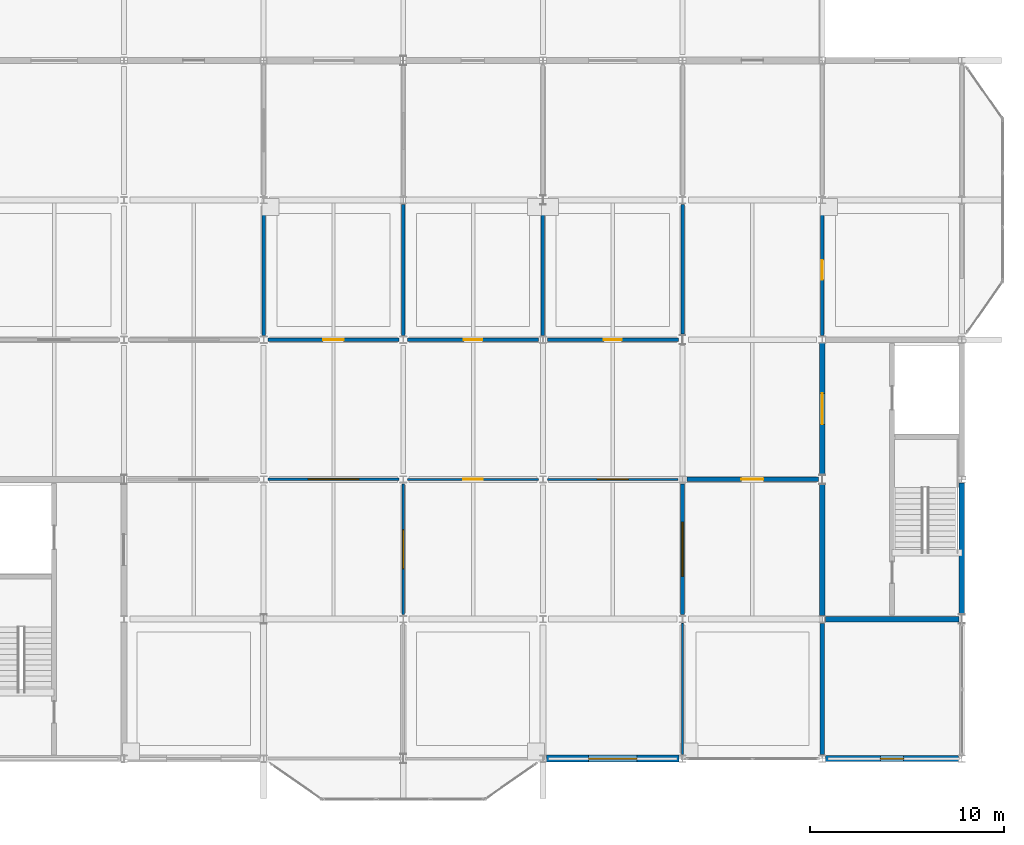
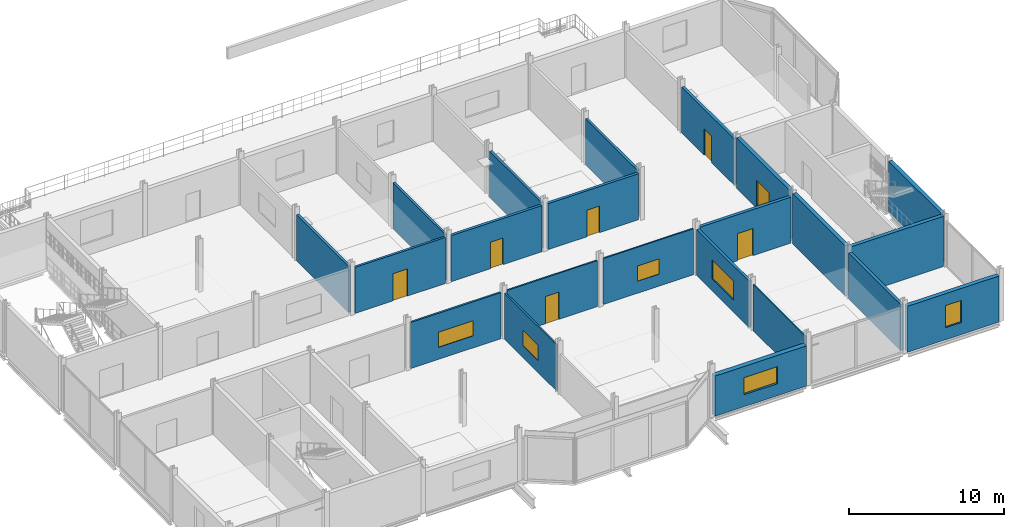
# One storey, part 20 of 26: 22 walls, 7 doors, 6 windows, 13 openings.
"""IFC4 building model written with IfcOpenShell, lengths in metres."""

from ifc_helpers import new_model, si_unit, direction, frame, frame_2d, origin, place, context, subcontext, project, spatial, rectangle, extrude, material, layer, layer_set, type_object, element, fill, save


model = new_model("IFC4")

# Units and contexts
model_context = context("Model", 3, precision=1e-05, world=origin(), true_north=direction((0.0, 1.0)))
body_context = subcontext(model_context, "Body", "Model", "MODEL_VIEW")
ifc_project = project(units=[si_unit("LENGTHUNIT", "METRE"), si_unit("AREAUNIT", "SQUARE_METRE"), si_unit("VOLUMEUNIT", "CUBIC_METRE"), si_unit("PLANEANGLEUNIT", "RADIAN"), si_unit("MASSUNIT", "GRAM", prefix="KILO")], contexts=[model_context])

# Site, building, storey
site_placement = place(None, origin())
site = spatial("IfcSite", under=ifc_project, at=site_placement, CompositionType="ELEMENT")
building_placement = place(site_placement, origin())
building = spatial("IfcBuilding", under=site, at=building_placement, Name="Vesperath Aquatics Centre", CompositionType="ELEMENT")
storey_placement = place(building_placement, frame((0.0, 0.0, 19.199951171875)))
storey = spatial("IfcBuildingStorey", under=building, at=storey_placement, Name="L04", CompositionType="ELEMENT", Elevation=19.199951171875)

# Wall, opening, window
ifc_material_1 = material(Name="Glazed majolica and brick insulated cavity wall", Category="masonry")
ifc_layer_1 = layer(ifc_material_1, 0.360107421875)
ifc_layer_set_1 = layer_set([ifc_layer_1], Name="Glazed majolica and brick insulated cavity wall")
wall_type_1 = type_object("IfcWallType", Name="WL-EW03", PredefinedType="SOLIDWALL", material=ifc_layer_set_1)
wall_1_placement = place(storey_placement, frame((151.375, 0.0, 0.0), z_axis=(0.0, 0.0, 1.0), x_axis=(1.0, 0.0, 0.0)))
wall_1 = element("IfcWall", 1, at=wall_1_placement, inside=storey, type_object=wall_type_1, Name="Exterior Wall EW03 L04_S_21_00", PredefinedType="SOLIDWALL", context=body_context, shape_type="SweptSolid", body=[
    extrude(rectangle(XDim=6.85009765625, YDim=0.360107421875, at=frame_2d((3.425048828125, 0.0))), origin(), (0.0, 0.0, 1.0), 3.179931640625),
])
opening_1_placement = place(wall_1_placement, frame((2.175048828125, 0.0, 0.949951171875)))
opening_1 = element("IfcOpeningElement", 2, at=opening_1_placement, cuts=wall_1, Name="Opening W16", PredefinedType="OPENING", context=body_context, shape_type="SweptSolid", body=[
    extrude(rectangle(XDim=2.5, YDim=1.35009765625, at=frame_2d((1.25, 0.675048828125))), frame((0.0, 0.19482421875, 0.0), z_axis=(0.0, -1.0, 0.0), x_axis=(1.0, 0.0, 0.0)), (0.0, 0.0, 1.0), 0.389892578125),
])
ifc_material_2 = material(Name="Thermally broken aluminium triple-glazed window", Category="aluminium")
window_type_1 = type_object("IfcWindowType", Name="WN-W16", PartitioningType="SINGLE_PANEL", PredefinedType="WINDOW", material=ifc_material_2)
window_1_placement = place(opening_1_placement, origin())
window_1 = element("IfcWindow", 3, at=window_1_placement, inside=storey, type_object=window_type_1, Name="Deep-Reveal Casement Window W16 L04_S_21_00", OverallHeight=1.35009765625, OverallWidth=2.5, PartitioningType="SINGLE_PANEL", PredefinedType="WINDOW", context=body_context, shape_type="SweptSolid", body=[
    extrude(rectangle(XDim=2.5, YDim=1.35009765625, at=frame_2d((1.25, 0.675048828125))), frame((0.0, 0.030029296875, 0.0), z_axis=(0.0, -1.0, 0.0), x_axis=(1.0, 0.0, 0.0)), (0.0, 0.0, 1.0), 0.06005859375),
])
fill(opening_1, window_1)

ifc_material_3 = material(Name="Terrace pavilion insulated masonry wall", Category="masonry")
ifc_layer_2 = layer(ifc_material_3, 0.31005859375)
ifc_layer_set_2 = layer_set([ifc_layer_2], Name="Terrace pavilion insulated masonry wall")
wall_type_2 = type_object("IfcWallType", Name="WL-EW05", PredefinedType="SOLIDWALL", material=ifc_layer_set_2)
wall_2_placement = place(storey_placement, frame((165.77490234375, 0.0, 0.0), z_axis=(0.0, 0.0, 1.0), x_axis=(1.0, 0.0, 0.0)))
wall_2 = element("IfcWall", 4, at=wall_2_placement, inside=storey, type_object=wall_type_2, Name="Exterior Wall EW05 L04_S_23_00", PredefinedType="SOLIDWALL", context=body_context, shape_type="SweptSolid", body=[
    extrude(rectangle(XDim=6.85009765625, YDim=0.31005859375, at=frame_2d((3.425048828125, 0.0))), origin(), (0.0, 0.0, 1.0), 3.64013671875),
])
opening_2_placement = place(wall_2_placement, frame((2.824951171875, 0.0, 0.949951171875)))
opening_2 = element("IfcOpeningElement", 5, at=opening_2_placement, cuts=wall_2, Name="Opening W14", PredefinedType="OPENING", context=body_context, shape_type="SweptSolid", body=[
    extrude(rectangle(XDim=1.199951171875, YDim=1.75, at=frame_2d((0.60009765625, 0.875))), frame((0.0, 0.169921875, 0.0), z_axis=(0.0, -1.0, 0.0), x_axis=(1.0, 0.0, 0.0)), (0.0, 0.0, 1.0), 0.33984375),
])
window_type_2 = type_object("IfcWindowType", Name="WN-W14", PartitioningType="SINGLE_PANEL", PredefinedType="WINDOW", material=ifc_material_2)
window_2_placement = place(opening_2_placement, origin())
window_2 = element("IfcWindow", 6, at=window_2_placement, inside=storey, type_object=window_type_2, Name="Deep-Reveal Casement Window W14 L04_S_23_00", OverallHeight=1.75, OverallWidth=1.199951171875, PartitioningType="SINGLE_PANEL", PredefinedType="WINDOW", context=body_context, shape_type="SweptSolid", body=[
    extrude(rectangle(XDim=1.199951171875, YDim=1.75, at=frame_2d((0.60009765625, 0.875))), frame((0.0, 0.030029296875, 0.0), z_axis=(0.0, -1.0, 0.0), x_axis=(1.0, 0.0, 0.0)), (0.0, 0.0, 1.0), 0.06005859375),
])
fill(opening_2, window_2)

# Wall, opening, door
ifc_material_4 = material(Name="Autoclaved aerated masonry blockwork", Category="masonry")
ifc_layer_3 = layer(ifc_material_4, 0.22998046875)
ifc_layer_set_3 = layer_set([ifc_layer_3], Name="Autoclaved aerated masonry blockwork")
wall_type_3 = type_object("IfcWallType", Name="WL-FW01", PredefinedType="SOLIDWALL", material=ifc_layer_set_3)
wall_3_placement = place(storey_placement, frame((158.625, 14.39990234375, 0.0), z_axis=(0.0, 0.0, 1.0), x_axis=(1.0, 0.0, 0.0)))
wall_3 = element("IfcWall", 7, at=wall_3_placement, inside=storey, type_object=wall_type_3, Name="Interior Partition FW01 L04_CONSULT-N1", PredefinedType="SOLIDWALL", context=body_context, shape_type="SweptSolid", body=[
    extrude(rectangle(XDim=6.77490234375, YDim=0.22998046875, at=frame_2d((3.387451171875, 0.0))), origin(), (0.0, 0.0, 1.0), 3.64013671875),
])
opening_3_placement = place(wall_3_placement, frame((2.804931640625, 0.0, 0.0)))
opening_3 = element("IfcOpeningElement", 8, at=opening_3_placement, cuts=wall_3, Name="Opening D20", PredefinedType="OPENING", context=body_context, shape_type="SweptSolid", body=[
    extrude(rectangle(XDim=1.139892578125, YDim=2.14990234375, at=frame_2d((0.56982421875, 1.074951171875))), frame((0.0, 0.1298828125, 0.0), z_axis=(0.0, -1.0, 0.0), x_axis=(1.0, 0.0, 0.0)), (0.0, 0.0, 1.0), 0.259765625),
])
ifc_material_5 = material(Name="Kitchen service fire door", Category="steel")
door_type_1 = type_object("IfcDoorType", Name="DR-RM12", OperationType="NOTDEFINED", PredefinedType="DOOR", material=ifc_material_5)
door_1_placement = place(opening_3_placement, frame((1.139892578125, 0.0, 0.0), z_axis=(0.0, 0.0, 1.0), x_axis=(-1.0, 0.0, 0.0)))
door_1 = element("IfcDoor", 9, at=door_1_placement, inside=storey, type_object=door_type_1, Name="Dietitian Consultation Office Door D20", OperationType="SINGLE_SWING_LEFT", OverallHeight=2.14990234375, OverallWidth=1.139892578125, PredefinedType="DOOR", context=body_context, shape_type="SweptSolid", body=[
    extrude(rectangle(XDim=1.139892578125, YDim=2.14990234375, at=frame_2d((0.56982421875, 1.074951171875))), frame((0.0, 0.02490234375, 0.0), z_axis=(0.0, -1.0, 0.0), x_axis=(1.0, 0.0, 0.0)), (0.0, 0.0, 1.0), 0.050048828125),
])
fill(opening_3, door_1)

# Wall
ifc_material_6 = material(Name="Masonry fire compartment wall", Category="masonry")
ifc_layer_4 = layer(ifc_material_6, 0.219970703125)
ifc_layer_set_4 = layer_set([ifc_layer_4], Name="Masonry fire compartment wall")
wall_type_4 = type_object("IfcWallType", Name="WL-FW02", PredefinedType="SOLIDWALL", material=ifc_layer_set_4)
wall_4_placement = place(storey_placement, frame((165.60009765625, 0.22509765625, 0.0), z_axis=(0.0, 0.0, 1.0), x_axis=(0.0, 1.0, 0.0)))
element("IfcWall", 10, at=wall_4_placement, inside=storey, type_object=wall_type_4, Name="Interior Partition FW02 L04_CONSULT-E1", PredefinedType="SOLIDWALL", context=body_context, shape_type="SweptSolid", body=[
    extrude(rectangle(XDim=6.75, YDim=0.219970703125, at=frame_2d((3.375, 0.0))), origin(), (0.0, 0.0, 1.0), 3.64013671875),
])

# Wall, opening, door
ifc_material_7 = material(Name="Wet-village masonry block wall", Category="masonry")
ifc_layer_5 = layer(ifc_material_7, 0.199951171875)
ifc_layer_set_5 = layer_set([ifc_layer_5], Name="Wet-village masonry block wall")
wall_type_5 = type_object("IfcWallType", Name="WL-FW03", PredefinedType="SOLIDWALL", material=ifc_layer_set_5)
wall_5_placement = place(storey_placement, frame((144.22509765625, 21.60009765625, 0.0), z_axis=(0.0, 0.0, 1.0), x_axis=(1.0, 0.0, 0.0)))
wall_5 = element("IfcWall", 11, at=wall_5_placement, inside=storey, type_object=wall_type_5, Name="Interior Partition FW03 L04_MWC-S1", PredefinedType="SOLIDWALL", context=body_context, shape_type="SweptSolid", body=[
    extrude(rectangle(XDim=6.75, YDim=0.199951171875, at=frame_2d((3.375, 0.0))), origin(), (0.0, 0.0, 1.0), 3.64013671875),
])
opening_4_placement = place(wall_5_placement, frame((2.89990234375, 0.0, 0.0)))
opening_4 = element("IfcOpeningElement", 12, at=opening_4_placement, cuts=wall_5, Name="Opening D07", PredefinedType="OPENING", context=body_context, shape_type="SweptSolid", body=[
    extrude(rectangle(XDim=0.949951171875, YDim=2.10009765625, at=frame_2d((0.47509765625, 1.050048828125))), frame((0.0, 0.11474609375, 0.0), z_axis=(0.0, -1.0, 0.0), x_axis=(1.0, 0.0, 0.0)), (0.0, 0.0, 1.0), 0.229736328125),
])
ifc_material_8 = material(Name="Moisture-resistant HPL sanitary door", Category="wood")
door_type_2 = type_object("IfcDoorType", Name="DR-WC02", OperationType="NOTDEFINED", PredefinedType="DOOR", material=ifc_material_8)
door_2_placement = place(opening_4_placement, origin())
door_2 = element("IfcDoor", 13, at=door_2_placement, inside=storey, type_object=door_type_2, Name="Wellness Male WC L04 Door D07", OperationType="SINGLE_SWING_LEFT", OverallHeight=2.10009765625, OverallWidth=0.949951171875, PredefinedType="DOOR", context=body_context, shape_type="SweptSolid", body=[
    extrude(rectangle(XDim=0.949951171875, YDim=2.10009765625, at=frame_2d((0.47509765625, 1.050048828125))), frame((0.0, 0.02490234375, 0.0), z_axis=(0.0, -1.0, 0.0), x_axis=(1.0, 0.0, 0.0)), (0.0, 0.0, 1.0), 0.050048828125),
])
fill(opening_4, door_2)

wall_6_placement = place(storey_placement, frame((151.425048828125, 21.60009765625, 0.0), z_axis=(0.0, 0.0, 1.0), x_axis=(1.0, 0.0, 0.0)))
wall_6 = element("IfcWall", 14, at=wall_6_placement, inside=storey, type_object=wall_type_5, Name="Interior Partition FW03 L04_FWC-S1", PredefinedType="SOLIDWALL", context=body_context, shape_type="SweptSolid", body=[
    extrude(rectangle(XDim=6.77490234375, YDim=0.199951171875, at=frame_2d((3.387451171875, 0.0))), origin(), (0.0, 0.0, 1.0), 3.64013671875),
])
opening_5_placement = place(wall_6_placement, frame((2.9150390625, 0.0, 0.0)))
opening_5 = element("IfcOpeningElement", 15, at=opening_5_placement, cuts=wall_6, Name="Opening D08", PredefinedType="OPENING", context=body_context, shape_type="SweptSolid", body=[
    extrude(rectangle(XDim=0.919921875, YDim=2.10009765625, at=frame_2d((0.4599609375, 1.050048828125))), frame((0.0, 0.11474609375, 0.0), z_axis=(0.0, -1.0, 0.0), x_axis=(1.0, 0.0, 0.0)), (0.0, 0.0, 1.0), 0.229736328125),
])
ifc_material_9 = material(Name="Moisture-resistant HPL washroom door", Category="wood")
door_type_3 = type_object("IfcDoorType", Name="DR-WC03", OperationType="NOTDEFINED", PredefinedType="DOOR", material=ifc_material_9)
door_3_placement = place(opening_5_placement, origin())
door_3 = element("IfcDoor", 16, at=door_3_placement, inside=storey, type_object=door_type_3, Name="Wellness Female WC L04 Door D08", OperationType="SINGLE_SWING_RIGHT", OverallHeight=2.10009765625, OverallWidth=0.919921875, PredefinedType="DOOR", context=body_context, shape_type="SweptSolid", body=[
    extrude(rectangle(XDim=0.919921875, YDim=2.10009765625, at=frame_2d((0.4599609375, 1.050048828125))), frame((0.0, 0.02490234375, 0.0), z_axis=(0.0, -1.0, 0.0), x_axis=(1.0, 0.0, 0.0)), (0.0, 0.0, 1.0), 0.050048828125),
])
fill(opening_5, door_3)

wall_7_placement = place(storey_placement, frame((165.60009765625, 21.824951171875, 0.0), z_axis=(0.0, 0.0, 1.0), x_axis=(0.0, 1.0, 0.0)))
wall_7 = element("IfcWall", 17, at=wall_7_placement, inside=storey, type_object=wall_type_5, Name="Interior Partition FW03 L04_AWC-W1", PredefinedType="SOLIDWALL", context=body_context, shape_type="SweptSolid", body=[
    extrude(rectangle(XDim=6.75, YDim=0.199951171875, at=frame_2d((3.375, 0.0))), origin(), (0.0, 0.0, 1.0), 3.64013671875),
])
opening_6_placement = place(wall_7_placement, frame((2.875, 0.0, 0.0)))
opening_6 = element("IfcOpeningElement", 18, at=opening_6_placement, cuts=wall_7, Name="Opening D06", PredefinedType="OPENING", context=body_context, shape_type="SweptSolid", body=[
    extrude(rectangle(XDim=1.0, YDim=2.10009765625, at=frame_2d((0.5, 1.050048828125))), frame((0.0, 0.11474609375, 0.0), z_axis=(0.0, -1.0, 0.0), x_axis=(1.0, 0.0, 0.0)), (0.0, 0.0, 1.0), 0.229736328125),
])
ifc_material_10 = material(Name="Moisture-resistant HPL accessible toilet door", Category="wood")
door_type_4 = type_object("IfcDoorType", Name="DR-WC01", OperationType="NOTDEFINED", PredefinedType="DOOR", material=ifc_material_10)
door_4_placement = place(opening_6_placement, frame((1.0, 0.0, 0.0), z_axis=(0.0, 0.0, 1.0), x_axis=(-1.0, 0.0, 0.0)))
door_4 = element("IfcDoor", 19, at=door_4_placement, inside=storey, type_object=door_type_4, Name="Accessible WC L04 Door D06", OperationType="SINGLE_SWING_LEFT", OverallHeight=2.10009765625, OverallWidth=1.0, PredefinedType="DOOR", context=body_context, shape_type="SweptSolid", body=[
    extrude(rectangle(XDim=1.0, YDim=2.10009765625, at=frame_2d((0.5, 1.050048828125))), frame((0.0, 0.02490234375, 0.0), z_axis=(0.0, -1.0, 0.0), x_axis=(1.0, 0.0, 0.0)), (0.0, 0.0, 1.0), 0.050048828125),
])
fill(opening_6, door_4)

# Walls
ifc_material_11 = material(Name="Double-stud acoustic studio partition", Category="gypsum")
ifc_layer_6 = layer(ifc_material_11, 0.18505859375)
ifc_layer_set_6 = layer_set([ifc_layer_6], Name="Double-stud acoustic studio partition")
wall_type_6 = type_object("IfcWallType", Name="WL-IW01", PredefinedType="PARTITIONING", material=ifc_layer_set_6)
wall_8_placement = place(storey_placement, frame((136.800048828125, 21.824951171875, 0.0), z_axis=(0.0, 0.0, 1.0), x_axis=(0.0, 1.0, 0.0)))
element("IfcWall", 20, at=wall_8_placement, inside=storey, type_object=wall_type_6, Name="Interior Partition IW01 L04_SEMINAR_1-E1", PredefinedType="PARTITIONING", context=body_context, shape_type="SweptSolid", body=[
    extrude(rectangle(XDim=6.75, YDim=0.18505859375, at=frame_2d((3.375, 0.0))), origin(), (0.0, 0.0, 1.0), 3.64013671875),
])
ifc_material_12 = material(Name="Moisture-resistant tiled wet partition", Category="gypsum")
ifc_layer_7 = layer(ifc_material_12, 0.175048828125)
ifc_layer_set_7 = layer_set([ifc_layer_7], Name="Moisture-resistant tiled wet partition")
wall_type_7 = type_object("IfcWallType", Name="WL-IW02", PredefinedType="PARTITIONING", material=ifc_layer_set_7)
wall_9_placement = place(storey_placement, frame((151.199951171875, 21.824951171875, 0.0), z_axis=(0.0, 0.0, 1.0), x_axis=(0.0, 1.0, 0.0)))
element("IfcWall", 21, at=wall_9_placement, inside=storey, type_object=wall_type_7, Name="Interior Partition IW02 L04_MWC-E1", PredefinedType="PARTITIONING", context=body_context, shape_type="SweptSolid", body=[
    extrude(rectangle(XDim=6.68115234375, YDim=0.175048828125, at=frame_2d((3.340576171875, 0.0))), origin(), (0.0, 0.0, 1.0), 3.64013671875),
])
wall_10_placement = place(storey_placement, frame((158.39990234375, 21.89404296875, 0.0), z_axis=(0.0, 0.0, 1.0), x_axis=(0.0, 1.0, 0.0)))
element("IfcWall", 22, at=wall_10_placement, inside=storey, type_object=wall_type_7, Name="Interior Partition IW02 L04_FWC-E1", PredefinedType="PARTITIONING", context=body_context, shape_type="SweptSolid", body=[
    extrude(rectangle(XDim=6.680908203125, YDim=0.175048828125, at=frame_2d((3.34033203125, 0.0))), origin(), (0.0, 0.0, 1.0), 3.64013671875),
])

# Wall, opening, door
ifc_material_13 = material(Name="Corridor fire-rated gypsum partition", Category="gypsum")
ifc_layer_8 = layer(ifc_material_13, 0.16796875)
ifc_layer_set_8 = layer_set([ifc_layer_8], Name="Corridor fire-rated gypsum partition")
wall_type_8 = type_object("IfcWallType", Name="WL-IW03", PredefinedType="PARTITIONING", material=ifc_layer_set_8)
wall_11_placement = place(storey_placement, frame((137.02490234375, 21.60009765625, 0.0), z_axis=(0.0, 0.0, 1.0), x_axis=(1.0, 0.0, 0.0)))
wall_11 = element("IfcWall", 23, at=wall_11_placement, inside=storey, type_object=wall_type_8, Name="Interior Partition IW03 L04_NUTR-S1", PredefinedType="PARTITIONING", context=body_context, shape_type="SweptSolid", body=[
    extrude(rectangle(XDim=6.75, YDim=0.16796875, at=frame_2d((3.375, 0.0))), origin(), (0.0, 0.0, 1.0), 3.64013671875),
])
opening_7_placement = place(wall_11_placement, frame((2.844970703125, 0.0, 0.0)))
opening_7 = element("IfcOpeningElement", 24, at=opening_7_placement, cuts=wall_11, Name="Opening D22", PredefinedType="OPENING", context=body_context, shape_type="SweptSolid", body=[
    extrude(rectangle(XDim=1.06005859375, YDim=2.14990234375, at=frame_2d((0.530029296875, 1.074951171875))), frame((0.0, 0.098876953125, 0.0), z_axis=(0.0, -1.0, 0.0), x_axis=(1.0, 0.0, 0.0)), (0.0, 0.0, 1.0), 0.19775390625),
])
ifc_material_14 = material(Name="Physiotherapy treatment oak door", Category="wood")
door_type_5 = type_object("IfcDoorType", Name="DR-RM14", OperationType="NOTDEFINED", PredefinedType="DOOR", material=ifc_material_14)
door_5_placement = place(opening_7_placement, origin())
door_5 = element("IfcDoor", 25, at=door_5_placement, inside=storey, type_object=door_type_5, Name="Athletes Sports Nutrition Dining Lounge Door D22", OperationType="SINGLE_SWING_RIGHT", OverallHeight=2.14990234375, OverallWidth=1.06005859375, PredefinedType="DOOR", context=body_context, shape_type="SweptSolid", body=[
    extrude(rectangle(XDim=1.06005859375, YDim=2.14990234375, at=frame_2d((0.530029296875, 1.074951171875))), frame((0.0, 0.02490234375, 0.0), z_axis=(0.0, -1.0, 0.0), x_axis=(1.0, 0.0, 0.0)), (0.0, 0.0, 1.0), 0.050048828125),
])
fill(opening_7, door_5)

# Wall
ifc_material_15 = material(Name="Clinic acoustic partition", Category="gypsum")
ifc_layer_9 = layer(ifc_material_15, 0.159912109375)
ifc_layer_set_9 = layer_set([ifc_layer_9], Name="Clinic acoustic partition")
wall_type_9 = type_object("IfcWallType", Name="WL-IW04", PredefinedType="PARTITIONING", material=ifc_layer_set_9)
wall_12_placement = place(storey_placement, frame((144.0, 21.824951171875, 0.0), z_axis=(0.0, 0.0, 1.0), x_axis=(0.0, 1.0, 0.0)))
element("IfcWall", 26, at=wall_12_placement, inside=storey, type_object=wall_type_9, Name="Interior Partition IW04 L04_NUTR-E1", PredefinedType="PARTITIONING", context=body_context, shape_type="SweptSolid", body=[
    extrude(rectangle(XDim=6.75, YDim=0.159912109375, at=frame_2d((3.375, 0.0))), origin(), (0.0, 0.0, 1.0), 3.64013671875),
])

# Wall, opening, window
ifc_material_16 = material(Name="Changing cubicle masonry-backed partition", Category="masonry")
ifc_layer_10 = layer(ifc_material_16, 0.137939453125)
ifc_layer_set_10 = layer_set([ifc_layer_10], Name="Changing cubicle masonry-backed partition")
wall_type_10 = type_object("IfcWallType", Name="WL-IW07", PredefinedType="PARTITIONING", material=ifc_layer_set_10)
wall_13_placement = place(storey_placement, frame((137.02490234375, 14.39990234375, 0.0), z_axis=(0.0, 0.0, 1.0), x_axis=(1.0, 0.0, 0.0)))
wall_13 = element("IfcWall", 27, at=wall_13_placement, inside=storey, type_object=wall_type_10, Name="Interior Partition IW07 L04_SAUNA-N2", PredefinedType="PARTITIONING", context=body_context, shape_type="SweptSolid", body=[
    extrude(rectangle(XDim=6.75, YDim=0.137939453125, at=frame_2d((3.375, 0.0))), origin(), (0.0, 0.0, 1.0), 3.64013671875),
])
opening_8_placement = place(wall_13_placement, frame((2.074951171875, 0.0, 0.949951171875)))
opening_8 = element("IfcOpeningElement", 28, at=opening_8_placement, cuts=wall_13, Name="Opening VW10", PredefinedType="OPENING", context=body_context, shape_type="SweptSolid", body=[
    extrude(rectangle(XDim=2.60009765625, YDim=1.199951171875, at=frame_2d((1.300048828125, 0.60009765625))), frame((0.0, 0.083984375, 0.0), z_axis=(0.0, -1.0, 0.0), x_axis=(1.0, 0.0, 0.0)), (0.0, 0.0, 1.0), 0.167724609375),
])
ifc_material_17 = material(Name="Acoustic laminated interior viewing glazing", Category="glass")
window_type_3 = type_object("IfcWindowType", Name="WN-IW10", PartitioningType="SINGLE_PANEL", PredefinedType="WINDOW", material=ifc_material_17)
window_3_placement = place(opening_8_placement, origin())
window_3 = element("IfcWindow", 29, at=window_3_placement, inside=storey, type_object=window_type_3, Name="Interior Viewing Window VW10 L04_SAUNA", OverallHeight=1.199951171875, OverallWidth=2.60009765625, PartitioningType="SINGLE_PANEL", PredefinedType="WINDOW", context=body_context, shape_type="SweptSolid", body=[
    extrude(rectangle(XDim=2.60009765625, YDim=1.199951171875, at=frame_2d((1.300048828125, 0.60009765625))), frame((0.0, 0.030029296875, 0.0), z_axis=(0.0, -1.0, 0.0), x_axis=(1.0, 0.0, 0.0)), (0.0, 0.0, 1.0), 0.06005859375),
])
fill(opening_8, window_3)

ifc_material_18 = material(Name="Office dry-lined partition", Category="gypsum")
ifc_layer_11 = layer(ifc_material_18, 0.1220703125)
ifc_layer_set_11 = layer_set([ifc_layer_11], Name="Office dry-lined partition")
wall_type_11 = type_object("IfcWallType", Name="WL-IW09", PredefinedType="PARTITIONING", material=ifc_layer_set_11)
wall_14_placement = place(storey_placement, frame((144.0, 7.425048828125, 0.0), z_axis=(0.0, 0.0, 1.0), x_axis=(0.0, 1.0, 0.0)))
wall_14 = element("IfcWall", 30, at=wall_14_placement, inside=storey, type_object=wall_type_11, Name="Interior Partition IW09 L04_SAUNA-E2", PredefinedType="PARTITIONING", context=body_context, shape_type="SweptSolid", body=[
    extrude(rectangle(XDim=6.75, YDim=0.1220703125, at=frame_2d((3.375, 0.0))), origin(), (0.0, 0.0, 1.0), 3.64013671875),
])
opening_9_placement = place(wall_14_placement, frame((2.375, 0.0, 0.949951171875)))
opening_9 = element("IfcOpeningElement", 31, at=opening_9_placement, cuts=wall_14, Name="Opening VW11", PredefinedType="OPENING", context=body_context, shape_type="SweptSolid", body=[
    extrude(rectangle(XDim=2.0, YDim=1.199951171875, at=frame_2d((1.0, 0.60009765625))), frame((0.0, 0.075927734375, 0.0), z_axis=(0.0, -1.0, 0.0), x_axis=(1.0, 0.0, 0.0)), (0.0, 0.0, 1.0), 0.15185546875),
])
window_type_4 = type_object("IfcWindowType", Name="WN-IW11", PartitioningType="SINGLE_PANEL", PredefinedType="WINDOW", material=ifc_material_17)
window_4_placement = place(opening_9_placement, origin())
window_4 = element("IfcWindow", 32, at=window_4_placement, inside=storey, type_object=window_type_4, Name="Interior Viewing Window VW11 L04_SAUNA", OverallHeight=1.199951171875, OverallWidth=2.0, PartitioningType="SINGLE_PANEL", PredefinedType="WINDOW", context=body_context, shape_type="SweptSolid", body=[
    extrude(rectangle(XDim=2.0, YDim=1.199951171875, at=frame_2d((1.0, 0.60009765625))), frame((0.0, 0.030029296875, 0.0), z_axis=(0.0, -1.0, 0.0), x_axis=(1.0, 0.0, 0.0)), (0.0, 0.0, 1.0), 0.06005859375),
])
fill(opening_9, window_4)

# Wall, opening, door
ifc_material_19 = material(Name="Kiosk counter partition", Category="gypsum")
ifc_layer_12 = layer(ifc_material_19, 0.10791015625)
ifc_layer_set_12 = layer_set([ifc_layer_12], Name="Kiosk counter partition")
wall_type_12 = type_object("IfcWallType", Name="WL-IW11", PredefinedType="PARTITIONING", material=ifc_layer_set_12)
wall_15_placement = place(storey_placement, frame((144.22509765625, 14.39990234375, 0.0), z_axis=(0.0, 0.0, 1.0), x_axis=(1.0, 0.0, 0.0)))
wall_15 = element("IfcWall", 33, at=wall_15_placement, inside=storey, type_object=wall_type_12, Name="Interior Partition IW11 L04_CRYO-N1", PredefinedType="PARTITIONING", context=body_context, shape_type="SweptSolid", body=[
    extrude(rectangle(XDim=6.75, YDim=0.10791015625, at=frame_2d((3.375, 0.0))), origin(), (0.0, 0.0, 1.0), 3.64013671875),
])
opening_10_placement = place(wall_15_placement, frame((2.864990234375, 0.0, 0.0)))
opening_10 = element("IfcOpeningElement", 34, at=opening_10_placement, cuts=wall_15, Name="Opening D19", PredefinedType="OPENING", context=body_context, shape_type="SweptSolid", body=[
    extrude(rectangle(XDim=1.02001953125, YDim=2.14990234375, at=frame_2d((0.510009765625, 1.074951171875))), frame((0.0, 0.06884765625, 0.0), z_axis=(0.0, -1.0, 0.0), x_axis=(1.0, 0.0, 0.0)), (0.0, 0.0, 1.0), 0.1376953125),
])
ifc_material_20 = material(Name="Fire command centre rated steel door", Category="steel")
door_type_6 = type_object("IfcDoorType", Name="DR-RM11", OperationType="NOTDEFINED", PredefinedType="DOOR", material=ifc_material_20)
door_6_placement = place(opening_10_placement, frame((1.02001953125, 0.0, 0.0), z_axis=(0.0, 0.0, 1.0), x_axis=(-1.0, 0.0, 0.0)))
door_6 = element("IfcDoor", 35, at=door_6_placement, inside=storey, type_object=door_type_6, Name="Contrast Plunge and Cryo-Recovery Room Door D19", OperationType="SINGLE_SWING_RIGHT", OverallHeight=2.14990234375, OverallWidth=1.02001953125, PredefinedType="DOOR", context=body_context, shape_type="SweptSolid", body=[
    extrude(rectangle(XDim=1.02001953125, YDim=2.14990234375, at=frame_2d((0.510009765625, 1.074951171875))), frame((0.0, 0.02490234375, 0.0), z_axis=(0.0, -1.0, 0.0), x_axis=(1.0, 0.0, 0.0)), (0.0, 0.0, 1.0), 0.050048828125),
])
fill(opening_10, door_6)

# Wall, opening, window
ifc_material_21 = material(Name="Light room sub-partition", Category="gypsum")
ifc_layer_13 = layer(ifc_material_21, 0.10009765625)
ifc_layer_set_13 = layer_set([ifc_layer_13], Name="Light room sub-partition")
wall_type_13 = type_object("IfcWallType", Name="WL-IW12", PredefinedType="PARTITIONING", material=ifc_layer_set_13)
wall_16_placement = place(storey_placement, frame((151.425048828125, 14.39990234375, 0.0), z_axis=(0.0, 0.0, 1.0), x_axis=(1.0, 0.0, 0.0)))
wall_16 = element("IfcWall", 36, at=wall_16_placement, inside=storey, type_object=wall_type_13, Name="Interior Partition IW12 L04_CRYO-N2", PredefinedType="PARTITIONING", context=body_context, shape_type="SweptSolid", body=[
    extrude(rectangle(XDim=6.75, YDim=0.10009765625, at=frame_2d((3.375, 0.0))), origin(), (0.0, 0.0, 1.0), 3.64013671875),
])
opening_11_placement = place(wall_16_placement, frame((2.574951171875, 0.0, 0.949951171875)))
opening_11 = element("IfcOpeningElement", 37, at=opening_11_placement, cuts=wall_16, Name="Opening VW12", PredefinedType="OPENING", context=body_context, shape_type="SweptSolid", body=[
    extrude(rectangle(XDim=1.60009765625, YDim=1.199951171875, at=frame_2d((0.800048828125, 0.60009765625))), frame((0.0, 0.06494140625, 0.0), z_axis=(0.0, -1.0, 0.0), x_axis=(1.0, 0.0, 0.0)), (0.0, 0.0, 1.0), 0.1298828125),
])
window_type_5 = type_object("IfcWindowType", Name="WN-IW12", PartitioningType="SINGLE_PANEL", PredefinedType="WINDOW", material=ifc_material_17)
window_5_placement = place(opening_11_placement, origin())
window_5 = element("IfcWindow", 38, at=window_5_placement, inside=storey, type_object=window_type_5, Name="Interior Viewing Window VW12 L04_CRYO", OverallHeight=1.199951171875, OverallWidth=1.60009765625, PartitioningType="SINGLE_PANEL", PredefinedType="WINDOW", context=body_context, shape_type="SweptSolid", body=[
    extrude(rectangle(XDim=1.60009765625, YDim=1.199951171875, at=frame_2d((0.800048828125, 0.60009765625))), frame((0.0, 0.030029296875, 0.0), z_axis=(0.0, -1.0, 0.0), x_axis=(1.0, 0.0, 0.0)), (0.0, 0.0, 1.0), 0.06005859375),
])
fill(opening_11, window_5)

# Wall
ifc_material_22 = material(Name="Poolside glazed screen partition", Category="gypsum")
ifc_layer_14 = layer(ifc_material_22, 0.094970703125)
ifc_layer_set_14 = layer_set([ifc_layer_14], Name="Poolside glazed screen partition")
wall_type_14 = type_object("IfcWallType", Name="WL-IW13", PredefinedType="PARTITIONING", material=ifc_layer_set_14)
wall_17_placement = place(storey_placement, frame((158.39990234375, 0.22509765625, 0.0), z_axis=(0.0, 0.0, 1.0), x_axis=(0.0, 1.0, 0.0)))
element("IfcWall", 39, at=wall_17_placement, inside=storey, type_object=wall_type_14, Name="Interior Partition IW13 L04_CRYO-E1", PredefinedType="PARTITIONING", context=body_context, shape_type="SweptSolid", body=[
    extrude(rectangle(XDim=6.75, YDim=0.094970703125, at=frame_2d((3.375, 0.0))), origin(), (0.0, 0.0, 1.0), 3.64013671875),
])

# Wall, opening, window
ifc_material_23 = material(Name="Shaft enclosure fire partition", Category="gypsum")
ifc_layer_15 = layer(ifc_material_23, 0.195068359375)
ifc_layer_set_15 = layer_set([ifc_layer_15], Name="Shaft enclosure fire partition")
wall_type_15 = type_object("IfcWallType", Name="WL-IW14", PredefinedType="PARTITIONING", material=ifc_layer_set_15)
wall_18_placement = place(storey_placement, frame((158.39990234375, 7.425048828125, 0.0), z_axis=(0.0, 0.0, 1.0), x_axis=(0.0, 1.0, 0.0)))
wall_18 = element("IfcWall", 40, at=wall_18_placement, inside=storey, type_object=wall_type_15, Name="Interior Partition IW14 L04_CRYO-E2", PredefinedType="PARTITIONING", context=body_context, shape_type="SweptSolid", body=[
    extrude(rectangle(XDim=6.75, YDim=0.195068359375, at=frame_2d((3.375, 0.0))), origin(), (0.0, 0.0, 1.0), 3.64013671875),
])
opening_12_placement = place(wall_18_placement, frame((1.97509765625, 0.0, 0.949951171875)))
opening_12 = element("IfcOpeningElement", 41, at=opening_12_placement, cuts=wall_18, Name="Opening VW01", PredefinedType="OPENING", context=body_context, shape_type="SweptSolid", body=[
    extrude(rectangle(XDim=2.800048828125, YDim=1.5, at=frame_2d((1.39990234375, 0.75))), frame((0.0, 0.1123046875, 0.0), z_axis=(0.0, -1.0, 0.0), x_axis=(1.0, 0.0, 0.0)), (0.0, 0.0, 1.0), 0.224853515625),
])
window_type_6 = type_object("IfcWindowType", Name="WN-IW01", PartitioningType="SINGLE_PANEL", PredefinedType="WINDOW", material=ifc_material_17)
window_6_placement = place(opening_12_placement, origin())
window_6 = element("IfcWindow", 42, at=window_6_placement, inside=storey, type_object=window_type_6, Name="Interior Viewing Window VW01 L04_CRYO", OverallHeight=1.5, OverallWidth=2.800048828125, PartitioningType="SINGLE_PANEL", PredefinedType="WINDOW", context=body_context, shape_type="SweptSolid", body=[
    extrude(rectangle(XDim=2.800048828125, YDim=1.5, at=frame_2d((1.39990234375, 0.75))), frame((0.0, 0.030029296875, 0.0), z_axis=(0.0, -1.0, 0.0), x_axis=(1.0, 0.0, 0.0)), (0.0, 0.0, 1.0), 0.06005859375),
])
fill(opening_12, window_6)

# Walls
ifc_material_24 = material(Name="Concrete C40", Category="concrete")
ifc_layer_16 = layer(ifc_material_24, 0.280029296875)
ifc_layer_set_16 = layer_set([ifc_layer_16], Name="Concrete C40")
wall_type_16 = type_object("IfcWallType", Name="WL-SW02", PredefinedType="SHEAR", material=ifc_layer_set_16)
wall_19_placement = place(storey_placement, frame((165.77490234375, 7.199951171875, 0.0), z_axis=(0.0, 0.0, 1.0), x_axis=(1.0, 0.0, 0.0)))
element("IfcWall", 43, at=wall_19_placement, inside=storey, type_object=wall_type_16, Name="Core C6 South Shear Wall SW02 L04", PredefinedType="SHEAR", context=body_context, shape_type="SweptSolid", body=[
    extrude(rectangle(XDim=6.875, YDim=0.280029296875, at=frame_2d((3.4375, 0.0))), origin(), (0.0, 0.0, 1.0), 3.97998046875),
])
wall_20_placement = place(storey_placement, frame((165.60009765625, 7.375, 0.0), z_axis=(0.0, 0.0, 1.0), x_axis=(0.0, 1.0, 0.0)))
element("IfcWall", 44, at=wall_20_placement, inside=storey, type_object=wall_type_16, Name="Core C6 West-1 Shear Wall SW02 L04", PredefinedType="SHEAR", context=body_context, shape_type="SweptSolid", body=[
    extrude(rectangle(XDim=6.781005859375, YDim=0.280029296875, at=frame_2d((3.390625, 0.0))), origin(), (0.0, 0.0, 1.0), 3.97998046875),
])

# Wall, opening, door
wall_21_placement = place(storey_placement, frame((165.60009765625, 14.64404296875, 0.0), z_axis=(0.0, 0.0, 1.0), x_axis=(0.0, 1.0, 0.0)))
wall_21 = element("IfcWall", 45, at=wall_21_placement, inside=storey, type_object=wall_type_16, Name="Core C6 West-2 Shear Wall SW02 L04", PredefinedType="SHEAR", context=body_context, shape_type="SweptSolid", body=[
    extrude(rectangle(XDim=6.781005859375, YDim=0.280029296875, at=frame_2d((3.390625, 0.0))), origin(), (0.0, 0.0, 1.0), 3.97998046875),
])
opening_13_placement = place(wall_21_placement, frame((2.591064453125, 0.0, 0.0)))
opening_13 = element("IfcOpeningElement", 46, at=opening_13_placement, cuts=wall_21, Name="Opening D02", PredefinedType="OPENING", context=body_context, shape_type="SweptSolid", body=[
    extrude(rectangle(XDim=1.60009765625, YDim=2.199951171875, at=frame_2d((0.800048828125, 1.10009765625))), frame((0.0, 0.15478515625, 0.0), z_axis=(0.0, -1.0, 0.0), x_axis=(1.0, 0.0, 0.0)), (0.0, 0.0, 1.0), 0.309814453125),
])
ifc_material_25 = material(Name="Glazed fire-rated lobby double door", Category="steel")
door_type_7 = type_object("IfcDoorType", Name="DR-FD02", OperationType="DOUBLE_SWING_LEFT", PredefinedType="DOOR", material=ifc_material_25)
door_7_placement = place(opening_13_placement, origin())
door_7 = element("IfcDoor", 47, at=door_7_placement, inside=storey, type_object=door_type_7, Name="Core C6 Lobby Fire Door D02 L04", OperationType="DOUBLE_SWING_LEFT", OverallHeight=2.199951171875, OverallWidth=1.60009765625, PredefinedType="DOOR", context=body_context, shape_type="SweptSolid", body=[
    extrude(rectangle(XDim=1.60009765625, YDim=2.199951171875, at=frame_2d((0.800048828125, 1.10009765625))), frame((0.0, 0.02490234375, 0.0), z_axis=(0.0, -1.0, 0.0), x_axis=(1.0, 0.0, 0.0)), (0.0, 0.0, 1.0), 0.050048828125),
])
fill(opening_13, door_7)

# Wall
ifc_layer_17 = layer(ifc_material_24, 0.2900390625)
ifc_layer_set_17 = layer_set([ifc_layer_17], Name="Concrete C40")
wall_type_17 = type_object("IfcWallType", Name="WL-SW06", PredefinedType="SHEAR", material=ifc_layer_set_17)
wall_22_placement = place(storey_placement, frame((172.800048828125, 7.444091796875, 0.0), z_axis=(0.0, 0.0, 1.0), x_axis=(0.0, 1.0, 0.0)))
element("IfcWall", 48, at=wall_22_placement, inside=storey, type_object=wall_type_17, Name="Core C6 East-1 Shear Wall SW06 L04", PredefinedType="SHEAR", context=body_context, shape_type="SweptSolid", body=[
    extrude(rectangle(XDim=6.781005859375, YDim=0.2900390625, at=frame_2d((3.390625, 0.0))), origin(), (0.0, 0.0, 1.0), 3.97998046875),
])

save(model, "model.ifc")
